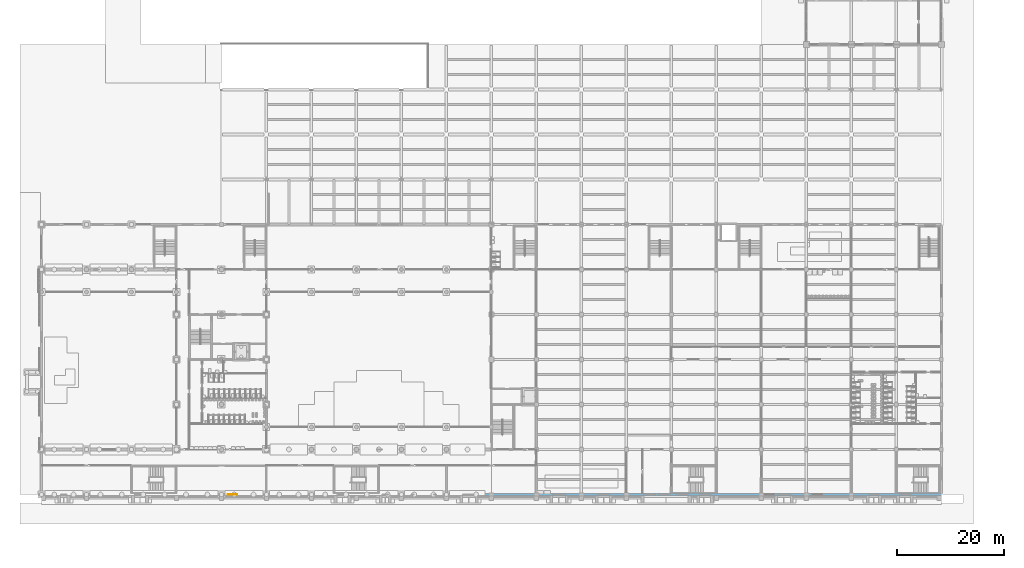
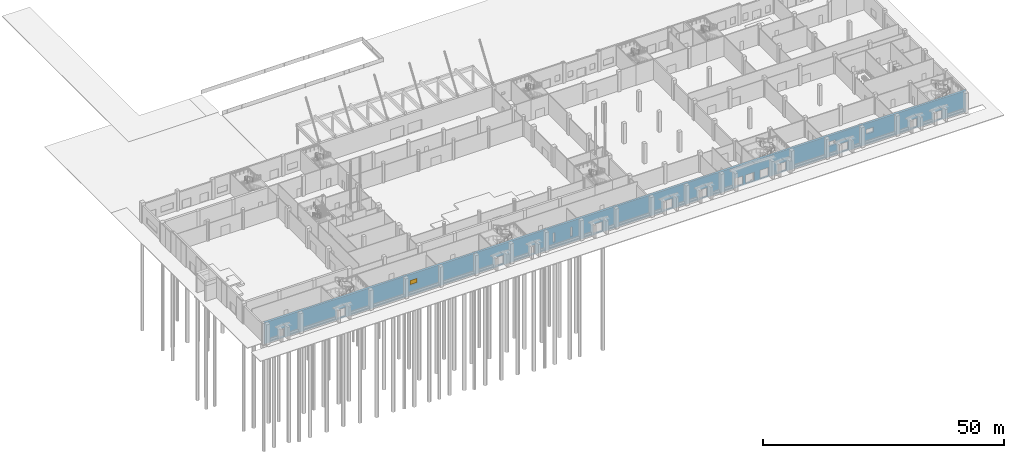
# One storey, part 22 of 74: 1 window, 19 openings, plus 1 element that does not belong to this part.
"""IFC4 building model written with IfcOpenShell, lengths in metres."""

from ifc_helpers import new_model, si_unit, direction, frame, frame_2d, origin, place, context, subcontext, project, spatial, rectangle, extrude, material, layer, layer_set, type_object, element, fill, save


model = new_model("IFC4")

# Units and contexts
model_context = context("Model", 3, precision=1e-05, world=origin(), true_north=direction((0.0, 1.0)))
body_context = subcontext(model_context, "Body", "Model", "MODEL_VIEW")
ifc_project = project(units=[si_unit("LENGTHUNIT", "METRE"), si_unit("AREAUNIT", "SQUARE_METRE"), si_unit("VOLUMEUNIT", "CUBIC_METRE"), si_unit("PLANEANGLEUNIT", "RADIAN"), si_unit("MASSUNIT", "GRAM", prefix="KILO")], contexts=[model_context])

# Site, building, storey
site_placement = place(None, origin())
site = spatial("IfcSite", under=ifc_project, at=site_placement, CompositionType="ELEMENT")
building_placement = place(site_placement, origin())
building = spatial("IfcBuilding", under=site, at=building_placement, Name="Rulbaag Community and Learning Centre", CompositionType="ELEMENT")
storey_placement = place(building_placement, origin())
storey = spatial("IfcBuildingStorey", under=building, at=storey_placement, Name="L00", CompositionType="ELEMENT", Elevation=0.0)

# Wall, openings, window
ifc_material_1 = material(Name="Concrete M40", Category="concrete")
ifc_layer = layer(ifc_material_1, 0.449951171875)
ifc_layer_set = layer_set([ifc_layer], Name="W12 Rail-side wall 450 Concrete M40")
wall_type = type_object("IfcWallType", Name="W12 Rail-side wall 450 Concrete M40", PredefinedType="SOLIDWALL", material=ifc_layer_set)
wall_placement = place(storey_placement, frame((0.0, 0.0, -0.300048828125), z_axis=(0.0, 0.0, 1.0), x_axis=(1.0, 0.0, 0.0)))
wall = element("IfcWall", 1, at=wall_placement, inside=storey, type_object=wall_type, Name="WL-RAIL-L00", PredefinedType="SOLIDWALL", context=body_context, shape_type="SweptSolid", body=[
    extrude(rectangle(XDim=168.0, YDim=0.449951171875, at=frame_2d((84.0, 0.0))), origin(), (0.0, 0.0, 1.0), 5.400146484375),
])
opening_1_placement = place(wall_placement, frame((34.800048828125, 0.0, 2.699951171875)))
opening_1 = element("IfcOpeningElement", 2, at=opening_1_placement, cuts=wall, Name="Opening WN7", PredefinedType="OPENING", context=body_context, shape_type="SweptSolid", body=[
    extrude(rectangle(XDim=1.800048828125, YDim=1.199951171875, at=frame_2d((0.89990234375, 0.60009765625))), frame((0.0, 0.23486328125, 0.0), z_axis=(0.0, -1.0, 0.0), x_axis=(1.0, 0.0, 0.0)), (0.0, 0.0, 1.0), 0.469970703125),
])
opening_2_placement = place(wall_placement, frame((69.074951171875, 0.0, 1.5)))
element("IfcOpeningElement", 3, at=opening_2_placement, cuts=wall, Name="Opening WN6", PredefinedType="OPENING", context=body_context, shape_type="SweptSolid", body=[
    extrude(rectangle(XDim=0.449951171875, YDim=2.39990234375, at=frame_2d((0.22509765625, 1.199951171875))), frame((0.0, 0.23486328125, 0.0), z_axis=(0.0, -1.0, 0.0), x_axis=(1.0, 0.0, 0.0)), (0.0, 0.0, 1.0), 0.469970703125),
])
opening_3_placement = place(wall_placement, frame((73.27490234375, 0.0, 1.5)))
element("IfcOpeningElement", 4, at=opening_3_placement, cuts=wall, Name="Opening WN6", PredefinedType="OPENING", context=body_context, shape_type="SweptSolid", body=[
    extrude(rectangle(XDim=0.449951171875, YDim=2.39990234375, at=frame_2d((0.22509765625, 1.199951171875))), frame((0.0, 0.23486328125, 0.0), z_axis=(0.0, -1.0, 0.0), x_axis=(1.0, 0.0, 0.0)), (0.0, 0.0, 1.0), 0.469970703125),
])
opening_4_placement = place(wall_placement, frame((135.0, 0.0, 2.699951171875)))
element("IfcOpeningElement", 5, at=opening_4_placement, cuts=wall, Name="Opening WN7", PredefinedType="OPENING", context=body_context, shape_type="SweptSolid", body=[
    extrude(rectangle(XDim=1.800048828125, YDim=1.199951171875, at=frame_2d((0.89990234375, 0.60009765625))), frame((0.0, 0.23486328125, 0.0), z_axis=(0.0, -1.0, 0.0), x_axis=(1.0, 0.0, 0.0)), (0.0, 0.0, 1.0), 0.469970703125),
])
opening_5_placement = place(wall_placement, frame((144.0, 0.0, 2.699951171875)))
element("IfcOpeningElement", 6, at=opening_5_placement, cuts=wall, Name="Opening WN7", PredefinedType="OPENING", context=body_context, shape_type="SweptSolid", body=[
    extrude(rectangle(XDim=1.800048828125, YDim=1.199951171875, at=frame_2d((0.89990234375, 0.60009765625))), frame((0.0, 0.23486328125, 0.0), z_axis=(0.0, -1.0, 0.0), x_axis=(1.0, 0.0, 0.0)), (0.0, 0.0, 1.0), 0.469970703125),
])
opening_6_placement = place(wall_placement, frame((114.60009765625, 0.0, 0.300048828125), z_axis=(0.0, 0.0, 1.0), x_axis=(-1.0, 0.0, 0.0)))
element("IfcOpeningElement", 7, at=opening_6_placement, cuts=wall, Name="Opening L00-D098", PredefinedType="OPENING", context=body_context, shape_type="SweptSolid", body=[
    extrude(rectangle(XDim=2.10009765625, YDim=2.199951171875, at=frame_2d((1.050048828125, 1.10009765625))), frame((0.0, 0.23486328125, 0.0), z_axis=(0.0, -1.0, 0.0), x_axis=(1.0, 0.0, 0.0)), (0.0, 0.0, 1.0), 0.469970703125),
])
opening_7_placement = place(wall_placement, frame((117.300048828125, 0.0, 0.300048828125), z_axis=(0.0, 0.0, 1.0), x_axis=(-1.0, 0.0, 0.0)))
element("IfcOpeningElement", 8, at=opening_7_placement, cuts=wall, Name="Opening L00-D100", PredefinedType="OPENING", context=body_context, shape_type="SweptSolid", body=[
    extrude(rectangle(XDim=2.10009765625, YDim=2.199951171875, at=frame_2d((1.050048828125, 1.10009765625))), frame((0.0, 0.23486328125, 0.0), z_axis=(0.0, -1.0, 0.0), x_axis=(1.0, 0.0, 0.0)), (0.0, 0.0, 1.0), 0.469970703125),
])
opening_8_placement = place(wall_placement, frame((106.050048828125, 0.0, 0.300048828125), z_axis=(0.0, 0.0, 1.0), x_axis=(-1.0, 0.0, 0.0)))
element("IfcOpeningElement", 9, at=opening_8_placement, cuts=wall, Name="Opening L00-D094", PredefinedType="OPENING", context=body_context, shape_type="SweptSolid", body=[
    extrude(rectangle(XDim=2.10009765625, YDim=2.199951171875, at=frame_2d((1.050048828125, 1.10009765625))), frame((0.0, 0.23486328125, 0.0), z_axis=(0.0, -1.0, 0.0), x_axis=(1.0, 0.0, 0.0)), (0.0, 0.0, 1.0), 0.469970703125),
])
opening_9_placement = place(wall_placement, frame((57.25, 0.0, 0.300048828125), z_axis=(0.0, 0.0, 1.0), x_axis=(-1.0, 0.0, 0.0)))
element("IfcOpeningElement", 10, at=opening_9_placement, cuts=wall, Name="Opening L00-D066", PredefinedType="OPENING", context=body_context, shape_type="SweptSolid", body=[
    extrude(rectangle(XDim=2.10009765625, YDim=2.199951171875, at=frame_2d((1.050048828125, 1.10009765625))), frame((0.0, 0.23486328125, 0.0), z_axis=(0.0, -1.0, 0.0), x_axis=(1.0, 0.0, 0.0)), (0.0, 0.0, 1.0), 0.469970703125),
])
opening_10_placement = place(wall_placement, frame((120.75, 0.0, 0.300048828125), z_axis=(0.0, 0.0, 1.0), x_axis=(-1.0, 0.0, 0.0)))
element("IfcOpeningElement", 11, at=opening_10_placement, cuts=wall, Name="Opening L00-D106", PredefinedType="OPENING", context=body_context, shape_type="SweptSolid", body=[
    extrude(rectangle(XDim=2.10009765625, YDim=2.199951171875, at=frame_2d((1.050048828125, 1.10009765625))), frame((0.0, 0.23486328125, 0.0), z_axis=(0.0, -1.0, 0.0), x_axis=(1.0, 0.0, 0.0)), (0.0, 0.0, 1.0), 0.469970703125),
])
opening_11_placement = place(wall_placement, frame((124.9501953125, 0.0, 0.300048828125), z_axis=(0.0, 0.0, 1.0), x_axis=(-1.0, 0.0, 0.0)))
element("IfcOpeningElement", 12, at=opening_11_placement, cuts=wall, Name="Opening L00-D110", PredefinedType="OPENING", context=body_context, shape_type="SweptSolid", body=[
    extrude(rectangle(XDim=2.10009765625, YDim=2.199951171875, at=frame_2d((1.050048828125, 1.10009765625))), frame((0.0, 0.23486328125, 0.0), z_axis=(0.0, -1.0, 0.0), x_axis=(1.0, 0.0, 0.0)), (0.0, 0.0, 1.0), 0.469970703125),
])
opening_12_placement = place(wall_placement, frame((19.4501953125, 0.0, 0.300048828125), z_axis=(0.0, 0.0, 1.0), x_axis=(-1.0, 0.0, 0.0)))
element("IfcOpeningElement", 13, at=opening_12_placement, cuts=wall, Name="Opening L00-D013", PredefinedType="OPENING", context=body_context, shape_type="SweptSolid", body=[
    extrude(rectangle(XDim=2.10009765625, YDim=2.199951171875, at=frame_2d((1.050048828125, 1.10009765625))), frame((0.0, 0.23486328125, 0.0), z_axis=(0.0, -1.0, 0.0), x_axis=(1.0, 0.0, 0.0)), (0.0, 0.0, 1.0), 0.469970703125),
])
opening_13_placement = place(wall_placement, frame((162.25, 0.0, 0.300048828125), z_axis=(0.0, 0.0, 1.0), x_axis=(-1.0, 0.0, 0.0)))
element("IfcOpeningElement", 14, at=opening_13_placement, cuts=wall, Name="Opening L00-D177", PredefinedType="OPENING", context=body_context, shape_type="SweptSolid", body=[
    extrude(rectangle(XDim=2.10009765625, YDim=2.199951171875, at=frame_2d((1.050048828125, 1.10009765625))), frame((0.0, 0.23486328125, 0.0), z_axis=(0.0, -1.0, 0.0), x_axis=(1.0, 0.0, 0.0)), (0.0, 0.0, 1.0), 0.469970703125),
])
opening_14_placement = place(wall_placement, frame((4.800048828125, 0.0, 0.300048828125), z_axis=(0.0, 0.0, 1.0), x_axis=(-1.0, 0.0, 0.0)))
element("IfcOpeningElement", 15, at=opening_14_placement, cuts=wall, Name="Opening L00-D005", PredefinedType="OPENING", context=body_context, shape_type="SweptSolid", body=[
    extrude(rectangle(XDim=1.199951171875, YDim=2.199951171875, at=frame_2d((0.60009765625, 1.10009765625))), frame((0.0, 0.23486328125, 0.0), z_axis=(0.0, -1.0, 0.0), x_axis=(1.0, 0.0, 0.0)), (0.0, 0.0, 1.0), 0.469970703125),
])
opening_15_placement = place(wall_placement, frame((64.800048828125, 0.0, 0.300048828125), z_axis=(0.0, 0.0, 1.0), x_axis=(-1.0, 0.0, 0.0)))
element("IfcOpeningElement", 16, at=opening_15_placement, cuts=wall, Name="Opening L00-D072", PredefinedType="OPENING", context=body_context, shape_type="SweptSolid", body=[
    extrude(rectangle(XDim=1.199951171875, YDim=2.199951171875, at=frame_2d((0.60009765625, 1.10009765625))), frame((0.0, 0.23486328125, 0.0), z_axis=(0.0, -1.0, 0.0), x_axis=(1.0, 0.0, 0.0)), (0.0, 0.0, 1.0), 0.469970703125),
])
opening_16_placement = place(wall_placement, frame((81.0, 0.0, 0.300048828125), z_axis=(0.0, 0.0, 1.0), x_axis=(-1.0, 0.0, 0.0)))
element("IfcOpeningElement", 17, at=opening_16_placement, cuts=wall, Name="Opening L00-D075", PredefinedType="OPENING", context=body_context, shape_type="SweptSolid", body=[
    extrude(rectangle(XDim=2.39990234375, YDim=2.39990234375, at=frame_2d((1.199951171875, 1.199951171875))), frame((0.0, 0.23486328125, 0.0), z_axis=(0.0, -1.0, 0.0), x_axis=(1.0, 0.0, 0.0)), (0.0, 0.0, 1.0), 0.469970703125),
])
opening_17_placement = place(wall_placement, frame((97.7998046875, 0.0, 0.300048828125), z_axis=(0.0, 0.0, 1.0), x_axis=(-1.0, 0.0, 0.0)))
element("IfcOpeningElement", 18, at=opening_17_placement, cuts=wall, Name="Opening L00-D091", PredefinedType="OPENING", context=body_context, shape_type="SweptSolid", body=[
    extrude(rectangle(XDim=2.39990234375, YDim=2.39990234375, at=frame_2d((1.199951171875, 1.199951171875))), frame((0.0, 0.23486328125, 0.0), z_axis=(0.0, -1.0, 0.0), x_axis=(1.0, 0.0, 0.0)), (0.0, 0.0, 1.0), 0.469970703125),
])
opening_18_placement = place(wall_placement, frame((139.7998046875, 0.0, 0.300048828125), z_axis=(0.0, 0.0, 1.0), x_axis=(-1.0, 0.0, 0.0)))
element("IfcOpeningElement", 19, at=opening_18_placement, cuts=wall, Name="Opening L00-D122", PredefinedType="OPENING", context=body_context, shape_type="SweptSolid", body=[
    extrude(rectangle(XDim=2.39990234375, YDim=2.10009765625, at=frame_2d((1.199951171875, 1.050048828125))), frame((0.0, 0.23486328125, 0.0), z_axis=(0.0, -1.0, 0.0), x_axis=(1.0, 0.0, 0.0)), (0.0, 0.0, 1.0), 0.469970703125),
])
opening_19_placement = place(wall_placement, frame((156.300048828125, 0.0, 0.300048828125), z_axis=(0.0, 0.0, 1.0), x_axis=(-1.0, 0.0, 0.0)))
element("IfcOpeningElement", 20, at=opening_19_placement, cuts=wall, Name="Opening L00-D155", PredefinedType="OPENING", context=body_context, shape_type="SweptSolid", body=[
    extrude(rectangle(XDim=1.800048828125, YDim=2.199951171875, at=frame_2d((0.89990234375, 1.10009765625))), frame((0.0, 0.23486328125, 0.0), z_axis=(0.0, -1.0, 0.0), x_axis=(1.0, 0.0, 0.0)), (0.0, 0.0, 1.0), 0.469970703125),
])
ifc_material_2 = material(Name="Aluminium", Category="aluminium")
window_type = type_object("IfcWindowType", Name="LV-18", PartitioningType="SINGLE_PANEL", PredefinedType="WINDOW", material=ifc_material_2)
window_placement = place(opening_1_placement, origin())
window = element("IfcWindow", 21, at=window_placement, inside=storey, type_object=window_type, Name="Window WN7", OverallHeight=1.199951171875, OverallWidth=1.800048828125, PartitioningType="SINGLE_PANEL", PredefinedType="WINDOW", context=body_context, shape_type="SweptSolid", body=[
    extrude(rectangle(XDim=1.800048828125, YDim=1.199951171875, at=frame_2d((0.89990234375, 0.60009765625))), frame((0.0, 0.030029296875, 0.0), z_axis=(0.0, -1.0, 0.0), x_axis=(1.0, 0.0, 0.0)), (0.0, 0.0, 1.0), 0.06005859375),
])
fill(opening_1, window)

save(model, "model.ifc")
